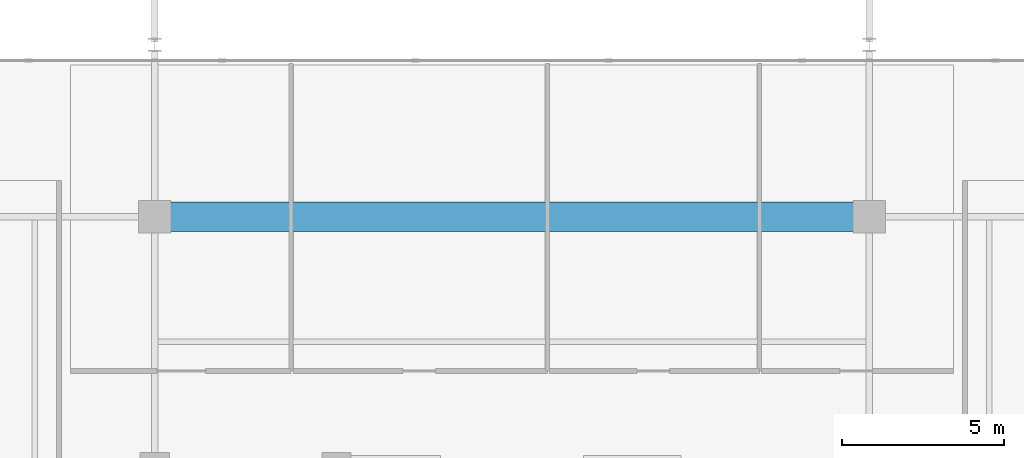
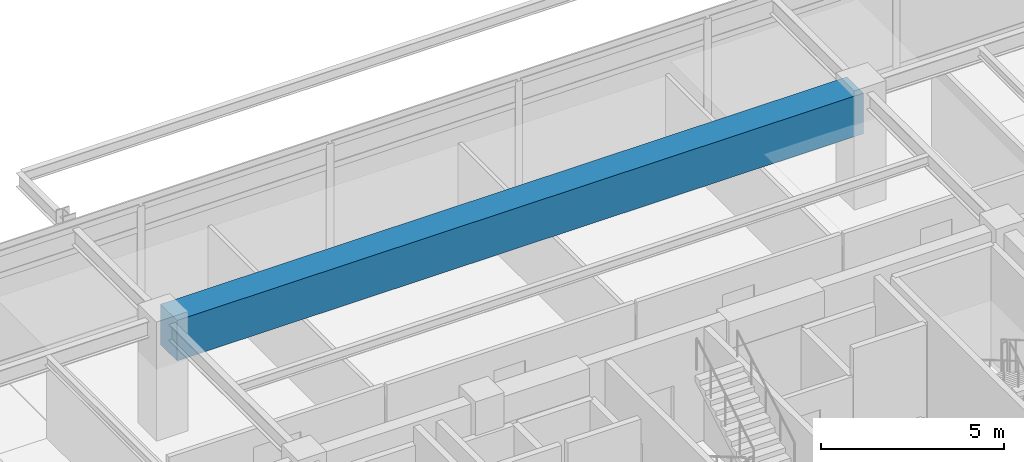
# One storey, part 8 of 21: 1 beam.
"""IFC4 building model written with IfcOpenShell, lengths in metres."""

from ifc_helpers import new_model, si_unit, direction, frame, origin, origin_2d, place, context, subcontext, project, spatial, rectangle, extrude, material, material_profile, profile_set, type_object, element, save


model = new_model("IFC4")

# Units and contexts
model_context = context("Model", 3, precision=1e-05, world=origin(), true_north=direction((0.0, 1.0)))
body_context = subcontext(model_context, "Body", "Model", "MODEL_VIEW")
ifc_project = project(units=[si_unit("LENGTHUNIT", "METRE"), si_unit("AREAUNIT", "SQUARE_METRE"), si_unit("VOLUMEUNIT", "CUBIC_METRE"), si_unit("PLANEANGLEUNIT", "RADIAN"), si_unit("MASSUNIT", "GRAM", prefix="KILO")], contexts=[model_context])

# Site, building, storey
site_placement = place(None, origin())
site = spatial("IfcSite", under=ifc_project, at=site_placement, CompositionType="ELEMENT")
building_placement = place(site_placement, origin())
building = spatial("IfcBuilding", under=site, at=building_placement, Name="Kovane Verandah Tower", CompositionType="ELEMENT")
storey_placement = place(building_placement, frame((0.0, 0.0, 314.800048828125)))
storey = spatial("IfcBuildingStorey", under=building, at=storey_placement, Name="L73", CompositionType="ELEMENT", Elevation=314.800048828125)

# Beam
ifc_material = material(Name="Concrete C80/95", Category="concrete")
ifc_material_profile = material_profile(ifc_material, rectangle(XDim=0.89990234375, YDim=1.35009765625, at=origin_2d()), Name="RCB900x1350")
ifc_profile_set = profile_set([ifc_material_profile], Name="Concrete C80/95")
beam_type = type_object("IfcBeamType", Name="BM-TR-900x1350", PredefinedType="BEAM", material=ifc_profile_set)
beam_placement = place(storey_placement, frame((29.179931640625, 44.199951171875, 3.10986328125), z_axis=(1.0, 0.0, 0.0), x_axis=(0.0, 1.0, 0.0)))
element("IfcBeam", 1, at=beam_placement, inside=storey, type_object=beam_type, Name="L73 Primary Tower Girder G-RN2", PredefinedType="BEAM", context=body_context, shape_type="SweptSolid", body=[
    extrude(rectangle(XDim=0.89990234375, YDim=1.35009765625, at=origin_2d()), origin(), (0.0, 0.0, 1.0), 21.64013671875),
])

save(model, "model.ifc")
